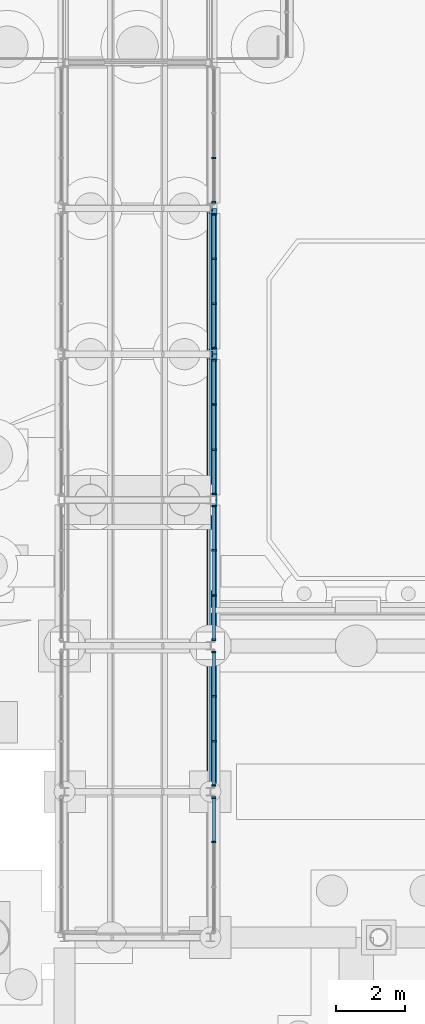
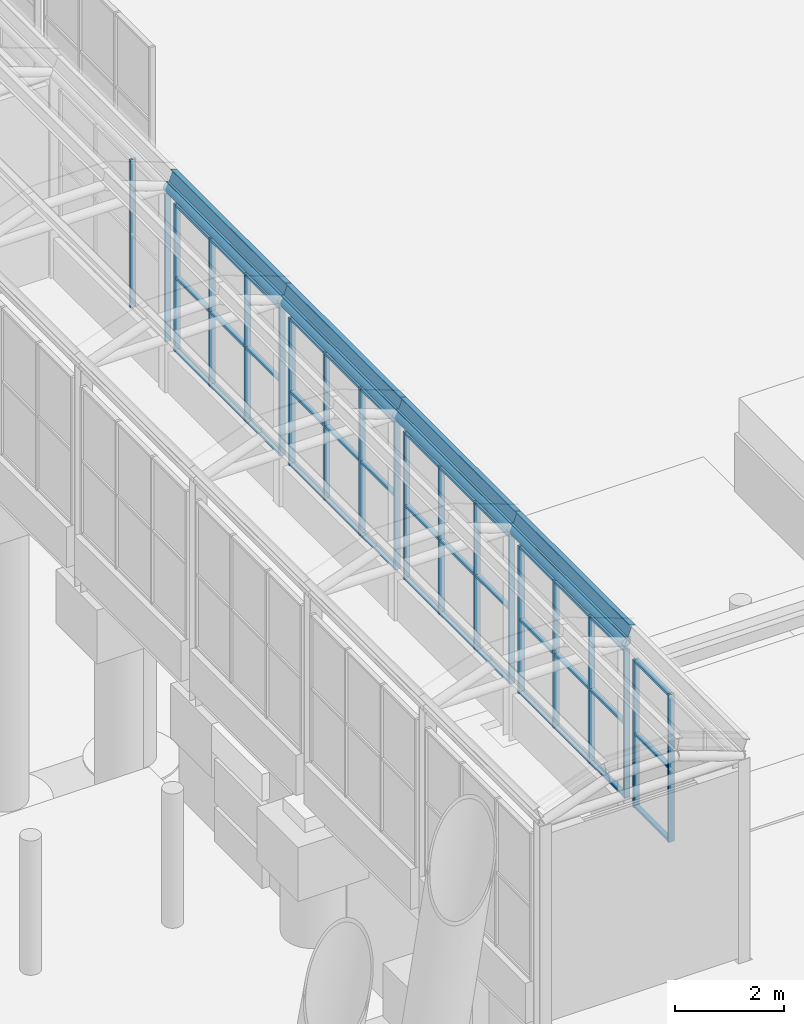
# One storey, part 72 of 222: 63 members, 4 beams, 6 elements without a shape of their own.
"""IFC4 building model written with IfcOpenShell, lengths in metres."""

from ifc_helpers import new_model, si_unit, direction, frame, origin, origin_2d, place, context, subcontext, project, spatial, rectangle, hollow_circle, i_section, extrude, material, material_profile, profile_set, type_object, element, aggregate, save


model = new_model("IFC4")

# Units and contexts
model_context = context("Model", 3, precision=1e-05, world=origin(), true_north=direction((0.0, 1.0)))
body_context = subcontext(model_context, "Body", "Model", "MODEL_VIEW")
ifc_project = project(units=[si_unit("LENGTHUNIT", "METRE"), si_unit("AREAUNIT", "SQUARE_METRE"), si_unit("VOLUMEUNIT", "CUBIC_METRE"), si_unit("PLANEANGLEUNIT", "RADIAN"), si_unit("MASSUNIT", "GRAM", prefix="KILO")], contexts=[model_context])

# Site, building, storey
site_placement = place(None, origin())
site = spatial("IfcSite", under=ifc_project, at=site_placement, CompositionType="ELEMENT")
building_placement = place(site_placement, origin())
building = spatial("IfcBuilding", under=site, at=building_placement, Name="Sava Quay Ferry Terminal", CompositionType="ELEMENT")
storey_placement = place(building_placement, origin())
storey = spatial("IfcBuildingStorey", under=building, at=storey_placement, Name="L00", CompositionType="ELEMENT", Elevation=0.0)

# Beams
ifc_material_1 = material(Name="Steel S355", Category="steel")
ifc_material_profile_1 = material_profile(ifc_material_1, hollow_circle(Radius=0.096923828125, WallThickness=0.008056640625, at=origin_2d()), Name="CHS 193.7 x 8.0")
ifc_profile_set_1 = profile_set([ifc_material_profile_1], Name="Steel S355")
beam_type = type_object("IfcBeamType", Name="Gallery eave beam CHS 193.7x8", PredefinedType="BEAM", material=ifc_profile_set_1)
beam_placement = place(storey_placement, frame((79.800048828125, 113.39990234375, 4.5), z_axis=(0.0, 1.0, 0.0), x_axis=(-1.0, 0.0, 0.0)))
element("IfcBeam", 1, at=beam_placement, inside=storey, type_object=beam_type, Name="Boarding gallery B2 eave beam R2", PredefinedType="BEAM", context=body_context, shape_type="SweptSolid", body=[
    extrude(hollow_circle(Radius=0.096923828125, WallThickness=0.008056640625, at=origin_2d()), origin(), (0.0, 0.0, 1.0), 4.2001953125),
])
for number, where, z_axis, x_axis, name in (
    (2, (79.800048828125, 117.60009765625, 4.5), (0.0, 1.0, 0.0), (-1.0, 0.0, 0.0), "Boarding gallery B2 eave beam R3"),
    (3, (79.800048828125, 121.800048828125, 4.5), (0.0, 1.0, 0.0), (-1.0, 0.0, 0.0), "Boarding gallery B2 eave beam R4"),
    (4, (79.800048828125, 126.0, 4.5), (0.0, 1.0, 0.0), (-1.0, 0.0, 0.0), "Boarding gallery B2 eave beam R5"),
):
    element("IfcBeam", number, at=place(storey_placement, frame(where, z_axis=z_axis, x_axis=x_axis)), inside=storey, type_object=beam_type, Name=name, PredefinedType="BEAM", context=body_context, shape_type="SweptSolid", body=[
        extrude(hollow_circle(Radius=0.096923828125, WallThickness=0.008056640625, at=origin_2d()), origin(), (0.0, 0.0, 1.0), 4.199951171875),
    ])

# Members
ifc_material_2 = material(Name="Steel S355", Category="steel")
ifc_material_profile_2 = material_profile(ifc_material_2, i_section(OverallWidth=0.135009765625, OverallDepth=0.27001953125, WebThickness=0.006591796875, FlangeThickness=0.01025390625, at=origin_2d()), Name="IPE 270")
ifc_profile_set_2 = profile_set([ifc_material_profile_2], Name="Steel S355")
member_type_1 = type_object("IfcMemberType", Name="Gallery purlin IPE 270", PredefinedType="PURLIN", material=ifc_profile_set_2)
member_1_placement = place(storey_placement, frame((79.87939453125, 113.39990234375, 4.718017578125), z_axis=(0.0, 1.0, 0.0), x_axis=(-0.939692620786, 0.0, 0.342020143326)))
element("IfcMember", 5, at=member_1_placement, inside=storey, type_object=member_type_1, Name="Boarding gallery B2 edge purlin bay 2 V3", PredefinedType="PURLIN", context=body_context, shape_type="SweptSolid", body=[
    extrude(i_section(OverallWidth=0.135009765625, OverallDepth=0.27001953125, WebThickness=0.006591796875, FlangeThickness=0.01025390625, at=origin_2d()), origin(), (0.0, 0.0, 1.0), 4.2001953125),
])
for number, where, z_axis, x_axis, name in (
    (6, (79.87939453125, 117.60009765625, 4.718017578125), (0.0, 1.0, 0.0), (-0.939692620786, 0.0, 0.342020143326), "Boarding gallery B2 edge purlin bay 3 V3"),
    (7, (79.87939453125, 121.800048828125, 4.718017578125), (0.0, 1.0, 0.0), (-0.939692620786, 0.0, 0.342020143326), "Boarding gallery B2 edge purlin bay 4 V3"),
    (8, (79.87939453125, 126.0, 4.718017578125), (0.0, 1.0, 0.0), (-0.939692620786, 0.0, 0.342020143326), "Boarding gallery B2 edge purlin bay 5 V3"),
):
    element("IfcMember", number, at=place(storey_placement, frame(where, z_axis=z_axis, x_axis=x_axis)), inside=storey, type_object=member_type_1, Name=name, PredefinedType="PURLIN", context=body_context, shape_type="SweptSolid", body=[
        extrude(i_section(OverallWidth=0.135009765625, OverallDepth=0.27001953125, WebThickness=0.006591796875, FlangeThickness=0.01025390625, at=origin_2d()), origin(), (0.0, 0.0, 1.0), 4.199951171875),
    ])

# Curtain wall, members
ifc_material_3 = material(Name="Aluminium and glass curtain wall, double glazed", Category="aluminium")
curtain_wall_type = type_object("IfcCurtainWallType", Name="Curtain wall CW-B gallery", PredefinedType="NOTDEFINED", material=ifc_material_3)
curtain_wall_1_placement = place(storey_placement, origin())
curtain_wall_1 = element("IfcCurtainWall", 9, at=curtain_wall_1_placement, inside=storey, type_object=curtain_wall_type, Name="Curtain wall B2-E L00 bay 1", PredefinedType="NOTDEFINED")
ifc_material_4 = material(Name="Aluminium EN AW-6063 T6", Category="aluminium")
ifc_material_profile_3 = material_profile(ifc_material_4, rectangle(XDim=0.1201171875, YDim=0.050048828125, at=origin_2d()), Name="Mullion 50x120 aluminium")
ifc_profile_set_3 = profile_set([ifc_material_profile_3], Name="Aluminium EN AW-6063 T6")
member_type_2 = type_object("IfcMemberType", Name="Mullion 50x120 aluminium", PredefinedType="MULLION", material=ifc_profile_set_3)
member_2_placement = place(storey_placement, frame((79.89990234375, 111.949951171875, 0.89990234375), z_axis=(0.0, 0.0, 1.0), x_axis=(-1.0, 0.0, 0.0)))
member_2 = element("IfcMember", 10, at=member_2_placement, type_object=member_type_2, Name="CW19 mullion 3", PredefinedType="MULLION", context=body_context, shape_type="SweptSolid", body=[
    extrude(rectangle(XDim=0.1201171875, YDim=0.050048828125, at=origin_2d()), origin(), (0.0, 0.0, 1.0), 3.300048828125),
])
member_3_placement = place(storey_placement, frame((79.89990234375, 113.22509765625, 0.89990234375), z_axis=(0.0, 0.0, 1.0), x_axis=(-1.0, 0.0, 0.0)))
member_3 = element("IfcMember", 11, at=member_3_placement, type_object=member_type_2, Name="CW19 mullion 4", PredefinedType="MULLION", context=body_context, shape_type="SweptSolid", body=[
    extrude(rectangle(XDim=0.1201171875, YDim=0.050048828125, at=origin_2d()), origin(), (0.0, 0.0, 1.0), 3.300048828125),
])

curtain_wall_2_placement = place(storey_placement, origin())
curtain_wall_2 = element("IfcCurtainWall", 12, at=curtain_wall_2_placement, inside=storey, type_object=curtain_wall_type, Name="Curtain wall B2-E L00 bay 2", PredefinedType="NOTDEFINED")
member_4_placement = place(storey_placement, frame((79.89990234375, 113.574951171875, 0.89990234375), z_axis=(0.0, 0.0, 1.0), x_axis=(-1.0, 0.0, 0.0)))
member_4 = element("IfcMember", 13, at=member_4_placement, type_object=member_type_2, Name="CW20 mullion 1", PredefinedType="MULLION", context=body_context, shape_type="SweptSolid", body=[
    extrude(rectangle(XDim=0.1201171875, YDim=0.050048828125, at=origin_2d()), origin(), (0.0, 0.0, 1.0), 3.300048828125),
])
member_5_placement = place(storey_placement, frame((79.89990234375, 114.85009765625, 0.89990234375), z_axis=(0.0, 0.0, 1.0), x_axis=(-1.0, 0.0, 0.0)))
member_5 = element("IfcMember", 14, at=member_5_placement, type_object=member_type_2, Name="CW20 mullion 2", PredefinedType="MULLION", context=body_context, shape_type="SweptSolid", body=[
    extrude(rectangle(XDim=0.1201171875, YDim=0.050048828125, at=origin_2d()), origin(), (0.0, 0.0, 1.0), 3.300048828125),
])
member_6_placement = place(storey_placement, frame((79.89990234375, 116.14990234375, 0.89990234375), z_axis=(0.0, 0.0, 1.0), x_axis=(-1.0, 0.0, 0.0)))
member_6 = element("IfcMember", 15, at=member_6_placement, type_object=member_type_2, Name="CW20 mullion 3", PredefinedType="MULLION", context=body_context, shape_type="SweptSolid", body=[
    extrude(rectangle(XDim=0.1201171875, YDim=0.050048828125, at=origin_2d()), origin(), (0.0, 0.0, 1.0), 3.300048828125),
])
member_7_placement = place(storey_placement, frame((79.89990234375, 117.425048828125, 0.89990234375), z_axis=(0.0, 0.0, 1.0), x_axis=(-1.0, 0.0, 0.0)))
member_7 = element("IfcMember", 16, at=member_7_placement, type_object=member_type_2, Name="CW20 mullion 4", PredefinedType="MULLION", context=body_context, shape_type="SweptSolid", body=[
    extrude(rectangle(XDim=0.1201171875, YDim=0.050048828125, at=origin_2d()), origin(), (0.0, 0.0, 1.0), 3.300048828125),
])

curtain_wall_3_placement = place(storey_placement, origin())
curtain_wall_3 = element("IfcCurtainWall", 17, at=curtain_wall_3_placement, inside=storey, type_object=curtain_wall_type, Name="Curtain wall B2-E L00 bay 3", PredefinedType="NOTDEFINED")
member_8_placement = place(storey_placement, frame((79.89990234375, 117.77490234375, 0.89990234375), z_axis=(0.0, 0.0, 1.0), x_axis=(-1.0, 0.0, 0.0)))
member_8 = element("IfcMember", 18, at=member_8_placement, type_object=member_type_2, Name="CW21 mullion 1", PredefinedType="MULLION", context=body_context, shape_type="SweptSolid", body=[
    extrude(rectangle(XDim=0.1201171875, YDim=0.050048828125, at=origin_2d()), origin(), (0.0, 0.0, 1.0), 3.300048828125),
])
member_9_placement = place(storey_placement, frame((79.89990234375, 119.050048828125, 0.89990234375), z_axis=(0.0, 0.0, 1.0), x_axis=(-1.0, 0.0, 0.0)))
member_9 = element("IfcMember", 19, at=member_9_placement, type_object=member_type_2, Name="CW21 mullion 2", PredefinedType="MULLION", context=body_context, shape_type="SweptSolid", body=[
    extrude(rectangle(XDim=0.1201171875, YDim=0.050048828125, at=origin_2d()), origin(), (0.0, 0.0, 1.0), 3.300048828125),
])
member_10_placement = place(storey_placement, frame((79.89990234375, 120.35009765625, 0.89990234375), z_axis=(0.0, 0.0, 1.0), x_axis=(-1.0, 0.0, 0.0)))
member_10 = element("IfcMember", 20, at=member_10_placement, type_object=member_type_2, Name="CW21 mullion 3", PredefinedType="MULLION", context=body_context, shape_type="SweptSolid", body=[
    extrude(rectangle(XDim=0.1201171875, YDim=0.050048828125, at=origin_2d()), origin(), (0.0, 0.0, 1.0), 3.300048828125),
])
member_11_placement = place(storey_placement, frame((79.89990234375, 121.625, 0.89990234375), z_axis=(0.0, 0.0, 1.0), x_axis=(-1.0, 0.0, 0.0)))
member_11 = element("IfcMember", 21, at=member_11_placement, type_object=member_type_2, Name="CW21 mullion 4", PredefinedType="MULLION", context=body_context, shape_type="SweptSolid", body=[
    extrude(rectangle(XDim=0.1201171875, YDim=0.050048828125, at=origin_2d()), origin(), (0.0, 0.0, 1.0), 3.300048828125),
])

curtain_wall_4_placement = place(storey_placement, origin())
curtain_wall_4 = element("IfcCurtainWall", 22, at=curtain_wall_4_placement, inside=storey, type_object=curtain_wall_type, Name="Curtain wall B2-E L00 bay 4", PredefinedType="NOTDEFINED")
member_12_placement = place(storey_placement, frame((79.89990234375, 121.97509765625, 0.89990234375), z_axis=(0.0, 0.0, 1.0), x_axis=(-1.0, 0.0, 0.0)))
member_12 = element("IfcMember", 23, at=member_12_placement, type_object=member_type_2, Name="CW22 mullion 1", PredefinedType="MULLION", context=body_context, shape_type="SweptSolid", body=[
    extrude(rectangle(XDim=0.1201171875, YDim=0.050048828125, at=origin_2d()), origin(), (0.0, 0.0, 1.0), 3.300048828125),
])
member_13_placement = place(storey_placement, frame((79.89990234375, 123.25, 0.89990234375), z_axis=(0.0, 0.0, 1.0), x_axis=(-1.0, 0.0, 0.0)))
member_13 = element("IfcMember", 24, at=member_13_placement, type_object=member_type_2, Name="CW22 mullion 2", PredefinedType="MULLION", context=body_context, shape_type="SweptSolid", body=[
    extrude(rectangle(XDim=0.1201171875, YDim=0.050048828125, at=origin_2d()), origin(), (0.0, 0.0, 1.0), 3.300048828125),
])
member_14_placement = place(storey_placement, frame((79.89990234375, 124.550048828125, 0.89990234375), z_axis=(0.0, 0.0, 1.0), x_axis=(-1.0, 0.0, 0.0)))
member_14 = element("IfcMember", 25, at=member_14_placement, type_object=member_type_2, Name="CW22 mullion 3", PredefinedType="MULLION", context=body_context, shape_type="SweptSolid", body=[
    extrude(rectangle(XDim=0.1201171875, YDim=0.050048828125, at=origin_2d()), origin(), (0.0, 0.0, 1.0), 3.300048828125),
])
member_15_placement = place(storey_placement, frame((79.89990234375, 125.824951171875, 0.89990234375), z_axis=(0.0, 0.0, 1.0), x_axis=(-1.0, 0.0, 0.0)))
member_15 = element("IfcMember", 26, at=member_15_placement, type_object=member_type_2, Name="CW22 mullion 4", PredefinedType="MULLION", context=body_context, shape_type="SweptSolid", body=[
    extrude(rectangle(XDim=0.1201171875, YDim=0.050048828125, at=origin_2d()), origin(), (0.0, 0.0, 1.0), 3.300048828125),
])

curtain_wall_5_placement = place(storey_placement, origin())
curtain_wall_5 = element("IfcCurtainWall", 27, at=curtain_wall_5_placement, inside=storey, type_object=curtain_wall_type, Name="Curtain wall B2-E L00 bay 5", PredefinedType="NOTDEFINED")
member_16_placement = place(storey_placement, frame((79.89990234375, 126.175048828125, 0.89990234375), z_axis=(0.0, 0.0, 1.0), x_axis=(-1.0, 0.0, 0.0)))
member_16 = element("IfcMember", 28, at=member_16_placement, type_object=member_type_2, Name="CW23 mullion 1", PredefinedType="MULLION", context=body_context, shape_type="SweptSolid", body=[
    extrude(rectangle(XDim=0.1201171875, YDim=0.050048828125, at=origin_2d()), origin(), (0.0, 0.0, 1.0), 3.300048828125),
])
member_17_placement = place(storey_placement, frame((79.89990234375, 127.449951171875, 0.89990234375), z_axis=(0.0, 0.0, 1.0), x_axis=(-1.0, 0.0, 0.0)))
member_17 = element("IfcMember", 29, at=member_17_placement, type_object=member_type_2, Name="CW23 mullion 2", PredefinedType="MULLION", context=body_context, shape_type="SweptSolid", body=[
    extrude(rectangle(XDim=0.1201171875, YDim=0.050048828125, at=origin_2d()), origin(), (0.0, 0.0, 1.0), 3.300048828125),
])
member_18_placement = place(storey_placement, frame((79.89990234375, 128.75, 0.89990234375), z_axis=(0.0, 0.0, 1.0), x_axis=(-1.0, 0.0, 0.0)))
member_18 = element("IfcMember", 30, at=member_18_placement, type_object=member_type_2, Name="CW23 mullion 3", PredefinedType="MULLION", context=body_context, shape_type="SweptSolid", body=[
    extrude(rectangle(XDim=0.1201171875, YDim=0.050048828125, at=origin_2d()), origin(), (0.0, 0.0, 1.0), 3.300048828125),
])
member_19_placement = place(storey_placement, frame((79.89990234375, 130.02490234375, 0.89990234375), z_axis=(0.0, 0.0, 1.0), x_axis=(-1.0, 0.0, 0.0)))
member_19 = element("IfcMember", 31, at=member_19_placement, type_object=member_type_2, Name="CW23 mullion 4", PredefinedType="MULLION", context=body_context, shape_type="SweptSolid", body=[
    extrude(rectangle(XDim=0.1201171875, YDim=0.050048828125, at=origin_2d()), origin(), (0.0, 0.0, 1.0), 3.300048828125),
])

curtain_wall_6_placement = place(storey_placement, origin())
curtain_wall_6 = element("IfcCurtainWall", 32, at=curtain_wall_6_placement, inside=storey, type_object=curtain_wall_type, Name="Curtain wall B2-E L00 bay 6", PredefinedType="NOTDEFINED")
member_20_placement = place(storey_placement, frame((79.89990234375, 130.375, 0.89990234375), z_axis=(0.0, 0.0, 1.0), x_axis=(-1.0, 0.0, 0.0)))
member_20 = element("IfcMember", 33, at=member_20_placement, type_object=member_type_2, Name="CW24 mullion 1", PredefinedType="MULLION", context=body_context, shape_type="SweptSolid", body=[
    extrude(rectangle(XDim=0.1201171875, YDim=0.050048828125, at=origin_2d()), origin(), (0.0, 0.0, 1.0), 3.300048828125),
])
member_21_placement = place(storey_placement, frame((79.89990234375, 131.64990234375, 0.89990234375), z_axis=(0.0, 0.0, 1.0), x_axis=(-1.0, 0.0, 0.0)))
member_21 = element("IfcMember", 34, at=member_21_placement, type_object=member_type_2, Name="CW24 mullion 2", PredefinedType="MULLION", context=body_context, shape_type="SweptSolid", body=[
    extrude(rectangle(XDim=0.1201171875, YDim=0.050048828125, at=origin_2d()), origin(), (0.0, 0.0, 1.0), 3.300048828125),
])
aggregate(curtain_wall_6, [member_20, member_21])

# Member
ifc_material_5 = material(Name="Aluminium EN AW-6063 T6", Category="aluminium")
ifc_material_profile_4 = material_profile(ifc_material_5, rectangle(XDim=0.10009765625, YDim=0.050048828125, at=origin_2d()), Name="Transom 50x100 aluminium")
ifc_profile_set_4 = profile_set([ifc_material_profile_4], Name="Aluminium EN AW-6063 T6")
member_type_3 = type_object("IfcMemberType", Name="Transom 50x100 aluminium", PredefinedType="USERDEFINED", material=ifc_profile_set_4)
member_22_placement = place(storey_placement, frame((79.89990234375, 111.97509765625, 0.925048828125), z_axis=(0.0, 1.0, 0.0), x_axis=(-1.0, 0.0, 0.0)))
member_22 = element("IfcMember", 35, at=member_22_placement, type_object=member_type_3, Name="CW19 transom 3.1", ObjectType="TRANSOM", PredefinedType="USERDEFINED", context=body_context, shape_type="SweptSolid", body=[
    extrude(rectangle(XDim=0.10009765625, YDim=0.050048828125, at=origin_2d()), origin(), (0.0, 0.0, 1.0), 1.224853515625),
])

member_23_placement = place(storey_placement, frame((79.89990234375, 111.97509765625, 2.550048828125), z_axis=(0.0, 1.0, 0.0), x_axis=(-1.0, 0.0, 0.0)))
member_23 = element("IfcMember", 36, at=member_23_placement, type_object=member_type_3, Name="CW19 transom 3.2", ObjectType="TRANSOM", PredefinedType="USERDEFINED", context=body_context, shape_type="SweptSolid", body=[
    extrude(rectangle(XDim=0.10009765625, YDim=0.050048828125, at=origin_2d()), origin(), (0.0, 0.0, 1.0), 1.224853515625),
])

member_24_placement = place(storey_placement, frame((79.89990234375, 111.97509765625, 4.175048828125), z_axis=(0.0, 1.0, 0.0), x_axis=(-1.0, 0.0, 0.0)))
member_24 = element("IfcMember", 37, at=member_24_placement, type_object=member_type_3, Name="CW19 transom 3.3", ObjectType="TRANSOM", PredefinedType="USERDEFINED", context=body_context, shape_type="SweptSolid", body=[
    extrude(rectangle(XDim=0.10009765625, YDim=0.050048828125, at=origin_2d()), origin(), (0.0, 0.0, 1.0), 1.224853515625),
])

aggregate(curtain_wall_1, [member_2, member_3, member_22, member_23, member_24])

member_25_placement = place(storey_placement, frame((79.89990234375, 113.60009765625, 0.925048828125), z_axis=(0.0, 1.0, 0.0), x_axis=(-1.0, 0.0, 0.0)))
member_25 = element("IfcMember", 38, at=member_25_placement, type_object=member_type_3, Name="CW20 transom 1.1", ObjectType="TRANSOM", PredefinedType="USERDEFINED", context=body_context, shape_type="SweptSolid", body=[
    extrude(rectangle(XDim=0.10009765625, YDim=0.050048828125, at=origin_2d()), origin(), (0.0, 0.0, 1.0), 1.224853515625),
])

member_26_placement = place(storey_placement, frame((79.89990234375, 113.60009765625, 2.550048828125), z_axis=(0.0, 1.0, 0.0), x_axis=(-1.0, 0.0, 0.0)))
member_26 = element("IfcMember", 39, at=member_26_placement, type_object=member_type_3, Name="CW20 transom 1.2", ObjectType="TRANSOM", PredefinedType="USERDEFINED", context=body_context, shape_type="SweptSolid", body=[
    extrude(rectangle(XDim=0.10009765625, YDim=0.050048828125, at=origin_2d()), origin(), (0.0, 0.0, 1.0), 1.224853515625),
])

member_27_placement = place(storey_placement, frame((79.89990234375, 113.60009765625, 4.175048828125), z_axis=(0.0, 1.0, 0.0), x_axis=(-1.0, 0.0, 0.0)))
member_27 = element("IfcMember", 40, at=member_27_placement, type_object=member_type_3, Name="CW20 transom 1.3", ObjectType="TRANSOM", PredefinedType="USERDEFINED", context=body_context, shape_type="SweptSolid", body=[
    extrude(rectangle(XDim=0.10009765625, YDim=0.050048828125, at=origin_2d()), origin(), (0.0, 0.0, 1.0), 1.224853515625),
])

member_28_placement = place(storey_placement, frame((79.89990234375, 114.875, 0.925048828125), z_axis=(0.0, 1.0, 0.0), x_axis=(-1.0, 0.0, 0.0)))
member_28 = element("IfcMember", 41, at=member_28_placement, type_object=member_type_3, Name="CW20 transom 2.1", ObjectType="TRANSOM", PredefinedType="USERDEFINED", context=body_context, shape_type="SweptSolid", body=[
    extrude(rectangle(XDim=0.10009765625, YDim=0.050048828125, at=origin_2d()), origin(), (0.0, 0.0, 1.0), 1.25),
])

member_29_placement = place(storey_placement, frame((79.89990234375, 114.875, 2.550048828125), z_axis=(0.0, 1.0, 0.0), x_axis=(-1.0, 0.0, 0.0)))
member_29 = element("IfcMember", 42, at=member_29_placement, type_object=member_type_3, Name="CW20 transom 2.2", ObjectType="TRANSOM", PredefinedType="USERDEFINED", context=body_context, shape_type="SweptSolid", body=[
    extrude(rectangle(XDim=0.10009765625, YDim=0.050048828125, at=origin_2d()), origin(), (0.0, 0.0, 1.0), 1.25),
])

member_30_placement = place(storey_placement, frame((79.89990234375, 114.875, 4.175048828125), z_axis=(0.0, 1.0, 0.0), x_axis=(-1.0, 0.0, 0.0)))
member_30 = element("IfcMember", 43, at=member_30_placement, type_object=member_type_3, Name="CW20 transom 2.3", ObjectType="TRANSOM", PredefinedType="USERDEFINED", context=body_context, shape_type="SweptSolid", body=[
    extrude(rectangle(XDim=0.10009765625, YDim=0.050048828125, at=origin_2d()), origin(), (0.0, 0.0, 1.0), 1.25),
])

member_31_placement = place(storey_placement, frame((79.89990234375, 116.175048828125, 0.925048828125), z_axis=(0.0, 1.0, 0.0), x_axis=(-1.0, 0.0, 0.0)))
member_31 = element("IfcMember", 44, at=member_31_placement, type_object=member_type_3, Name="CW20 transom 3.1", ObjectType="TRANSOM", PredefinedType="USERDEFINED", context=body_context, shape_type="SweptSolid", body=[
    extrude(rectangle(XDim=0.10009765625, YDim=0.050048828125, at=origin_2d()), origin(), (0.0, 0.0, 1.0), 1.224853515625),
])

member_32_placement = place(storey_placement, frame((79.89990234375, 116.175048828125, 2.550048828125), z_axis=(0.0, 1.0, 0.0), x_axis=(-1.0, 0.0, 0.0)))
member_32 = element("IfcMember", 45, at=member_32_placement, type_object=member_type_3, Name="CW20 transom 3.2", ObjectType="TRANSOM", PredefinedType="USERDEFINED", context=body_context, shape_type="SweptSolid", body=[
    extrude(rectangle(XDim=0.10009765625, YDim=0.050048828125, at=origin_2d()), origin(), (0.0, 0.0, 1.0), 1.224853515625),
])

member_33_placement = place(storey_placement, frame((79.89990234375, 116.175048828125, 4.175048828125), z_axis=(0.0, 1.0, 0.0), x_axis=(-1.0, 0.0, 0.0)))
member_33 = element("IfcMember", 46, at=member_33_placement, type_object=member_type_3, Name="CW20 transom 3.3", ObjectType="TRANSOM", PredefinedType="USERDEFINED", context=body_context, shape_type="SweptSolid", body=[
    extrude(rectangle(XDim=0.10009765625, YDim=0.050048828125, at=origin_2d()), origin(), (0.0, 0.0, 1.0), 1.224853515625),
])

aggregate(curtain_wall_2, [member_4, member_5, member_6, member_7, member_25, member_26, member_27, member_28, member_29, member_30, member_31, member_32, member_33])

member_34_placement = place(storey_placement, frame((79.89990234375, 117.800048828125, 0.925048828125), z_axis=(0.0, 1.0, 0.0), x_axis=(-1.0, 0.0, 0.0)))
member_34 = element("IfcMember", 47, at=member_34_placement, type_object=member_type_3, Name="CW21 transom 1.1", ObjectType="TRANSOM", PredefinedType="USERDEFINED", context=body_context, shape_type="SweptSolid", body=[
    extrude(rectangle(XDim=0.10009765625, YDim=0.050048828125, at=origin_2d()), origin(), (0.0, 0.0, 1.0), 1.224853515625),
])

member_35_placement = place(storey_placement, frame((79.89990234375, 117.800048828125, 2.550048828125), z_axis=(0.0, 1.0, 0.0), x_axis=(-1.0, 0.0, 0.0)))
member_35 = element("IfcMember", 48, at=member_35_placement, type_object=member_type_3, Name="CW21 transom 1.2", ObjectType="TRANSOM", PredefinedType="USERDEFINED", context=body_context, shape_type="SweptSolid", body=[
    extrude(rectangle(XDim=0.10009765625, YDim=0.050048828125, at=origin_2d()), origin(), (0.0, 0.0, 1.0), 1.224853515625),
])

member_36_placement = place(storey_placement, frame((79.89990234375, 117.800048828125, 4.175048828125), z_axis=(0.0, 1.0, 0.0), x_axis=(-1.0, 0.0, 0.0)))
member_36 = element("IfcMember", 49, at=member_36_placement, type_object=member_type_3, Name="CW21 transom 1.3", ObjectType="TRANSOM", PredefinedType="USERDEFINED", context=body_context, shape_type="SweptSolid", body=[
    extrude(rectangle(XDim=0.10009765625, YDim=0.050048828125, at=origin_2d()), origin(), (0.0, 0.0, 1.0), 1.224853515625),
])

member_37_placement = place(storey_placement, frame((79.89990234375, 119.074951171875, 0.925048828125), z_axis=(0.0, 1.0, 0.0), x_axis=(-1.0, 0.0, 0.0)))
member_37 = element("IfcMember", 50, at=member_37_placement, type_object=member_type_3, Name="CW21 transom 2.1", ObjectType="TRANSOM", PredefinedType="USERDEFINED", context=body_context, shape_type="SweptSolid", body=[
    extrude(rectangle(XDim=0.10009765625, YDim=0.050048828125, at=origin_2d()), origin(), (0.0, 0.0, 1.0), 1.25),
])

member_38_placement = place(storey_placement, frame((79.89990234375, 119.074951171875, 2.550048828125), z_axis=(0.0, 1.0, 0.0), x_axis=(-1.0, 0.0, 0.0)))
member_38 = element("IfcMember", 51, at=member_38_placement, type_object=member_type_3, Name="CW21 transom 2.2", ObjectType="TRANSOM", PredefinedType="USERDEFINED", context=body_context, shape_type="SweptSolid", body=[
    extrude(rectangle(XDim=0.10009765625, YDim=0.050048828125, at=origin_2d()), origin(), (0.0, 0.0, 1.0), 1.25),
])

member_39_placement = place(storey_placement, frame((79.89990234375, 119.074951171875, 4.175048828125), z_axis=(0.0, 1.0, 0.0), x_axis=(-1.0, 0.0, 0.0)))
member_39 = element("IfcMember", 52, at=member_39_placement, type_object=member_type_3, Name="CW21 transom 2.3", ObjectType="TRANSOM", PredefinedType="USERDEFINED", context=body_context, shape_type="SweptSolid", body=[
    extrude(rectangle(XDim=0.10009765625, YDim=0.050048828125, at=origin_2d()), origin(), (0.0, 0.0, 1.0), 1.25),
])

member_40_placement = place(storey_placement, frame((79.89990234375, 120.375, 0.925048828125), z_axis=(0.0, 1.0, 0.0), x_axis=(-1.0, 0.0, 0.0)))
member_40 = element("IfcMember", 53, at=member_40_placement, type_object=member_type_3, Name="CW21 transom 3.1", ObjectType="TRANSOM", PredefinedType="USERDEFINED", context=body_context, shape_type="SweptSolid", body=[
    extrude(rectangle(XDim=0.10009765625, YDim=0.050048828125, at=origin_2d()), origin(), (0.0, 0.0, 1.0), 1.22509765625),
])

member_41_placement = place(storey_placement, frame((79.89990234375, 120.375, 2.550048828125), z_axis=(0.0, 1.0, 0.0), x_axis=(-1.0, 0.0, 0.0)))
member_41 = element("IfcMember", 54, at=member_41_placement, type_object=member_type_3, Name="CW21 transom 3.2", ObjectType="TRANSOM", PredefinedType="USERDEFINED", context=body_context, shape_type="SweptSolid", body=[
    extrude(rectangle(XDim=0.10009765625, YDim=0.050048828125, at=origin_2d()), origin(), (0.0, 0.0, 1.0), 1.22509765625),
])

member_42_placement = place(storey_placement, frame((79.89990234375, 120.375, 4.175048828125), z_axis=(0.0, 1.0, 0.0), x_axis=(-1.0, 0.0, 0.0)))
member_42 = element("IfcMember", 55, at=member_42_placement, type_object=member_type_3, Name="CW21 transom 3.3", ObjectType="TRANSOM", PredefinedType="USERDEFINED", context=body_context, shape_type="SweptSolid", body=[
    extrude(rectangle(XDim=0.10009765625, YDim=0.050048828125, at=origin_2d()), origin(), (0.0, 0.0, 1.0), 1.22509765625),
])

aggregate(curtain_wall_3, [member_8, member_9, member_10, member_11, member_34, member_35, member_36, member_37, member_38, member_39, member_40, member_41, member_42])

member_43_placement = place(storey_placement, frame((79.89990234375, 122.0, 0.925048828125), z_axis=(0.0, 1.0, 0.0), x_axis=(-1.0, 0.0, 0.0)))
member_43 = element("IfcMember", 56, at=member_43_placement, type_object=member_type_3, Name="CW22 transom 1.1", ObjectType="TRANSOM", PredefinedType="USERDEFINED", context=body_context, shape_type="SweptSolid", body=[
    extrude(rectangle(XDim=0.10009765625, YDim=0.050048828125, at=origin_2d()), origin(), (0.0, 0.0, 1.0), 1.22509765625),
])

member_44_placement = place(storey_placement, frame((79.89990234375, 122.0, 2.550048828125), z_axis=(0.0, 1.0, 0.0), x_axis=(-1.0, 0.0, 0.0)))
member_44 = element("IfcMember", 57, at=member_44_placement, type_object=member_type_3, Name="CW22 transom 1.2", ObjectType="TRANSOM", PredefinedType="USERDEFINED", context=body_context, shape_type="SweptSolid", body=[
    extrude(rectangle(XDim=0.10009765625, YDim=0.050048828125, at=origin_2d()), origin(), (0.0, 0.0, 1.0), 1.22509765625),
])

member_45_placement = place(storey_placement, frame((79.89990234375, 122.0, 4.175048828125), z_axis=(0.0, 1.0, 0.0), x_axis=(-1.0, 0.0, 0.0)))
member_45 = element("IfcMember", 58, at=member_45_placement, type_object=member_type_3, Name="CW22 transom 1.3", ObjectType="TRANSOM", PredefinedType="USERDEFINED", context=body_context, shape_type="SweptSolid", body=[
    extrude(rectangle(XDim=0.10009765625, YDim=0.050048828125, at=origin_2d()), origin(), (0.0, 0.0, 1.0), 1.22509765625),
])

member_46_placement = place(storey_placement, frame((79.89990234375, 123.27490234375, 0.925048828125), z_axis=(0.0, 1.0, 0.0), x_axis=(-1.0, 0.0, 0.0)))
member_46 = element("IfcMember", 59, at=member_46_placement, type_object=member_type_3, Name="CW22 transom 2.1", ObjectType="TRANSOM", PredefinedType="USERDEFINED", context=body_context, shape_type="SweptSolid", body=[
    extrude(rectangle(XDim=0.10009765625, YDim=0.050048828125, at=origin_2d()), origin(), (0.0, 0.0, 1.0), 1.25),
])

member_47_placement = place(storey_placement, frame((79.89990234375, 123.27490234375, 2.550048828125), z_axis=(0.0, 1.0, 0.0), x_axis=(-1.0, 0.0, 0.0)))
member_47 = element("IfcMember", 60, at=member_47_placement, type_object=member_type_3, Name="CW22 transom 2.2", ObjectType="TRANSOM", PredefinedType="USERDEFINED", context=body_context, shape_type="SweptSolid", body=[
    extrude(rectangle(XDim=0.10009765625, YDim=0.050048828125, at=origin_2d()), origin(), (0.0, 0.0, 1.0), 1.25),
])

member_48_placement = place(storey_placement, frame((79.89990234375, 123.27490234375, 4.175048828125), z_axis=(0.0, 1.0, 0.0), x_axis=(-1.0, 0.0, 0.0)))
member_48 = element("IfcMember", 61, at=member_48_placement, type_object=member_type_3, Name="CW22 transom 2.3", ObjectType="TRANSOM", PredefinedType="USERDEFINED", context=body_context, shape_type="SweptSolid", body=[
    extrude(rectangle(XDim=0.10009765625, YDim=0.050048828125, at=origin_2d()), origin(), (0.0, 0.0, 1.0), 1.25),
])

member_49_placement = place(storey_placement, frame((79.89990234375, 124.574951171875, 0.925048828125), z_axis=(0.0, 1.0, 0.0), x_axis=(-1.0, 0.0, 0.0)))
member_49 = element("IfcMember", 62, at=member_49_placement, type_object=member_type_3, Name="CW22 transom 3.1", ObjectType="TRANSOM", PredefinedType="USERDEFINED", context=body_context, shape_type="SweptSolid", body=[
    extrude(rectangle(XDim=0.10009765625, YDim=0.050048828125, at=origin_2d()), origin(), (0.0, 0.0, 1.0), 1.22509765625),
])

member_50_placement = place(storey_placement, frame((79.89990234375, 124.574951171875, 2.550048828125), z_axis=(0.0, 1.0, 0.0), x_axis=(-1.0, 0.0, 0.0)))
member_50 = element("IfcMember", 63, at=member_50_placement, type_object=member_type_3, Name="CW22 transom 3.2", ObjectType="TRANSOM", PredefinedType="USERDEFINED", context=body_context, shape_type="SweptSolid", body=[
    extrude(rectangle(XDim=0.10009765625, YDim=0.050048828125, at=origin_2d()), origin(), (0.0, 0.0, 1.0), 1.22509765625),
])

member_51_placement = place(storey_placement, frame((79.89990234375, 124.574951171875, 4.175048828125), z_axis=(0.0, 1.0, 0.0), x_axis=(-1.0, 0.0, 0.0)))
member_51 = element("IfcMember", 64, at=member_51_placement, type_object=member_type_3, Name="CW22 transom 3.3", ObjectType="TRANSOM", PredefinedType="USERDEFINED", context=body_context, shape_type="SweptSolid", body=[
    extrude(rectangle(XDim=0.10009765625, YDim=0.050048828125, at=origin_2d()), origin(), (0.0, 0.0, 1.0), 1.22509765625),
])

aggregate(curtain_wall_4, [member_12, member_13, member_14, member_15, member_43, member_44, member_45, member_46, member_47, member_48, member_49, member_50, member_51])

member_52_placement = place(storey_placement, frame((79.89990234375, 126.199951171875, 0.925048828125), z_axis=(0.0, 1.0, 0.0), x_axis=(-1.0, 0.0, 0.0)))
member_52 = element("IfcMember", 65, at=member_52_placement, type_object=member_type_3, Name="CW23 transom 1.1", ObjectType="TRANSOM", PredefinedType="USERDEFINED", context=body_context, shape_type="SweptSolid", body=[
    extrude(rectangle(XDim=0.10009765625, YDim=0.050048828125, at=origin_2d()), origin(), (0.0, 0.0, 1.0), 1.22509765625),
])

member_53_placement = place(storey_placement, frame((79.89990234375, 126.199951171875, 2.550048828125), z_axis=(0.0, 1.0, 0.0), x_axis=(-1.0, 0.0, 0.0)))
member_53 = element("IfcMember", 66, at=member_53_placement, type_object=member_type_3, Name="CW23 transom 1.2", ObjectType="TRANSOM", PredefinedType="USERDEFINED", context=body_context, shape_type="SweptSolid", body=[
    extrude(rectangle(XDim=0.10009765625, YDim=0.050048828125, at=origin_2d()), origin(), (0.0, 0.0, 1.0), 1.22509765625),
])

member_54_placement = place(storey_placement, frame((79.89990234375, 126.199951171875, 4.175048828125), z_axis=(0.0, 1.0, 0.0), x_axis=(-1.0, 0.0, 0.0)))
member_54 = element("IfcMember", 67, at=member_54_placement, type_object=member_type_3, Name="CW23 transom 1.3", ObjectType="TRANSOM", PredefinedType="USERDEFINED", context=body_context, shape_type="SweptSolid", body=[
    extrude(rectangle(XDim=0.10009765625, YDim=0.050048828125, at=origin_2d()), origin(), (0.0, 0.0, 1.0), 1.22509765625),
])

member_55_placement = place(storey_placement, frame((79.89990234375, 127.47509765625, 0.925048828125), z_axis=(0.0, 1.0, 0.0), x_axis=(-1.0, 0.0, 0.0)))
member_55 = element("IfcMember", 68, at=member_55_placement, type_object=member_type_3, Name="CW23 transom 2.1", ObjectType="TRANSOM", PredefinedType="USERDEFINED", context=body_context, shape_type="SweptSolid", body=[
    extrude(rectangle(XDim=0.10009765625, YDim=0.050048828125, at=origin_2d()), origin(), (0.0, 0.0, 1.0), 1.25),
])

member_56_placement = place(storey_placement, frame((79.89990234375, 127.47509765625, 2.550048828125), z_axis=(0.0, 1.0, 0.0), x_axis=(-1.0, 0.0, 0.0)))
member_56 = element("IfcMember", 69, at=member_56_placement, type_object=member_type_3, Name="CW23 transom 2.2", ObjectType="TRANSOM", PredefinedType="USERDEFINED", context=body_context, shape_type="SweptSolid", body=[
    extrude(rectangle(XDim=0.10009765625, YDim=0.050048828125, at=origin_2d()), origin(), (0.0, 0.0, 1.0), 1.25),
])

member_57_placement = place(storey_placement, frame((79.89990234375, 127.47509765625, 4.175048828125), z_axis=(0.0, 1.0, 0.0), x_axis=(-1.0, 0.0, 0.0)))
member_57 = element("IfcMember", 70, at=member_57_placement, type_object=member_type_3, Name="CW23 transom 2.3", ObjectType="TRANSOM", PredefinedType="USERDEFINED", context=body_context, shape_type="SweptSolid", body=[
    extrude(rectangle(XDim=0.10009765625, YDim=0.050048828125, at=origin_2d()), origin(), (0.0, 0.0, 1.0), 1.25),
])

member_58_placement = place(storey_placement, frame((79.89990234375, 128.77490234375, 0.925048828125), z_axis=(0.0, 1.0, 0.0), x_axis=(-1.0, 0.0, 0.0)))
member_58 = element("IfcMember", 71, at=member_58_placement, type_object=member_type_3, Name="CW23 transom 3.1", ObjectType="TRANSOM", PredefinedType="USERDEFINED", context=body_context, shape_type="SweptSolid", body=[
    extrude(rectangle(XDim=0.10009765625, YDim=0.050048828125, at=origin_2d()), origin(), (0.0, 0.0, 1.0), 1.22509765625),
])

member_59_placement = place(storey_placement, frame((79.89990234375, 128.77490234375, 2.550048828125), z_axis=(0.0, 1.0, 0.0), x_axis=(-1.0, 0.0, 0.0)))
member_59 = element("IfcMember", 72, at=member_59_placement, type_object=member_type_3, Name="CW23 transom 3.2", ObjectType="TRANSOM", PredefinedType="USERDEFINED", context=body_context, shape_type="SweptSolid", body=[
    extrude(rectangle(XDim=0.10009765625, YDim=0.050048828125, at=origin_2d()), origin(), (0.0, 0.0, 1.0), 1.22509765625),
])

member_60_placement = place(storey_placement, frame((79.89990234375, 128.77490234375, 4.175048828125), z_axis=(0.0, 1.0, 0.0), x_axis=(-1.0, 0.0, 0.0)))
member_60 = element("IfcMember", 73, at=member_60_placement, type_object=member_type_3, Name="CW23 transom 3.3", ObjectType="TRANSOM", PredefinedType="USERDEFINED", context=body_context, shape_type="SweptSolid", body=[
    extrude(rectangle(XDim=0.10009765625, YDim=0.050048828125, at=origin_2d()), origin(), (0.0, 0.0, 1.0), 1.22509765625),
])

aggregate(curtain_wall_5, [member_16, member_17, member_18, member_19, member_52, member_53, member_54, member_55, member_56, member_57, member_58, member_59, member_60])

save(model, "model.ifc")
